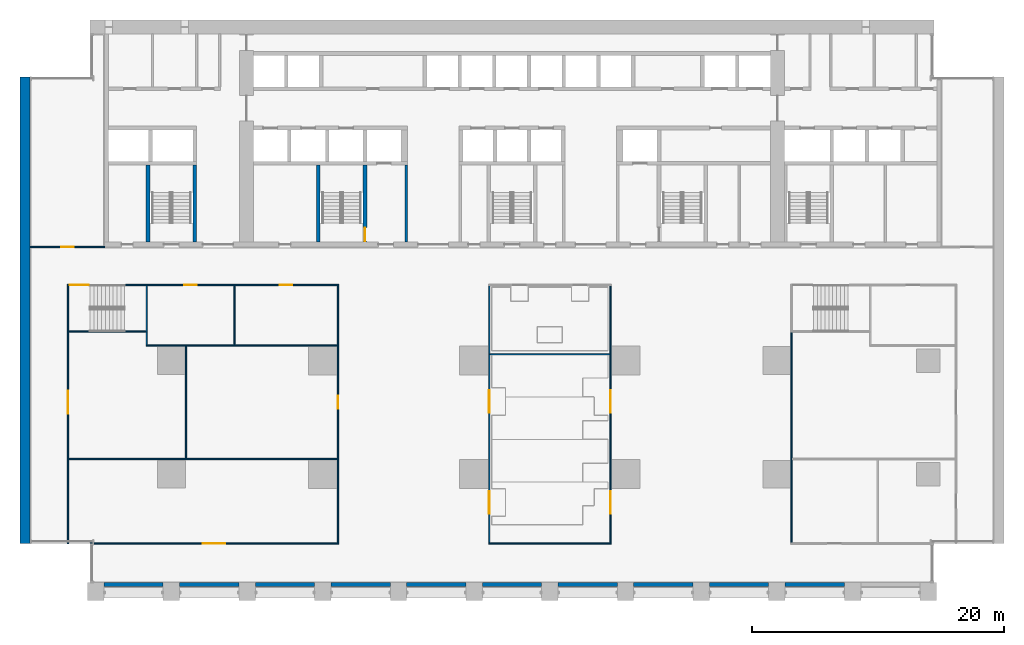
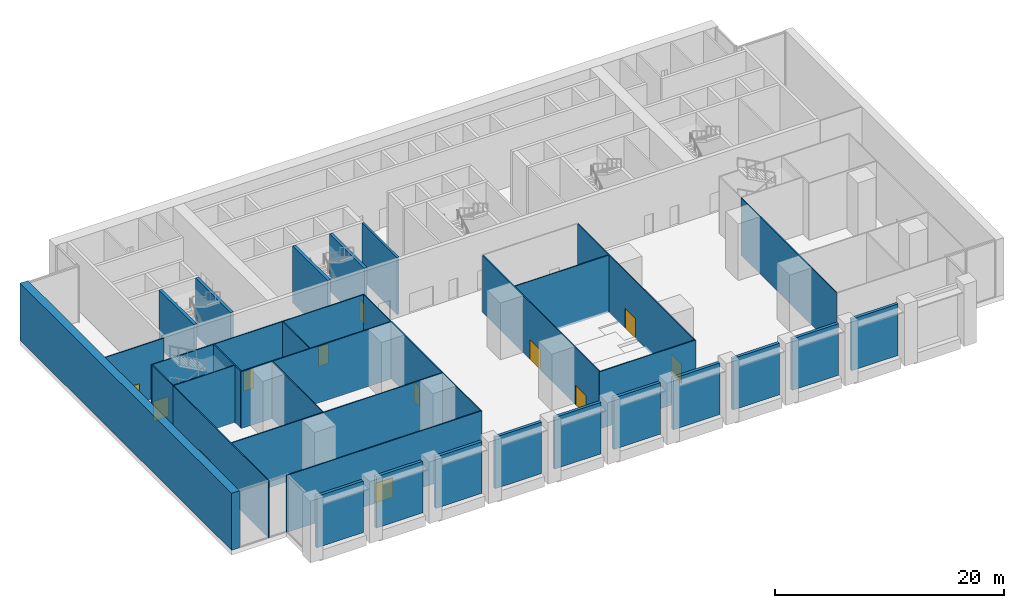
# One storey, part 7 of 18: 35 walls, 12 doors, 12 openings.
"""IFC4 building model written with IfcOpenShell, lengths in metres."""

from ifc_helpers import new_model, si_unit, direction, frame, frame_2d, origin, place, context, subcontext, project, spatial, rectangle, extrude, material, layer, layer_set, type_object, element, fill, save


model = new_model("IFC4")

# Units and contexts
model_context = context("Model", 3, precision=1e-05, world=origin(), true_north=direction((0.0, 1.0)))
body_context = subcontext(model_context, "Body", "Model", "MODEL_VIEW")
ifc_project = project(units=[si_unit("LENGTHUNIT", "METRE"), si_unit("AREAUNIT", "SQUARE_METRE"), si_unit("VOLUMEUNIT", "CUBIC_METRE"), si_unit("PLANEANGLEUNIT", "RADIAN"), si_unit("MASSUNIT", "GRAM", prefix="KILO")], contexts=[model_context])

# Site, building, storey
site_placement = place(None, origin())
site = spatial("IfcSite", under=ifc_project, at=site_placement, CompositionType="ELEMENT")
building_placement = place(site_placement, origin())
building = spatial("IfcBuilding", under=site, at=building_placement, Name="Calvaro Tower", CompositionType="ELEMENT")
storey_placement = place(building_placement, frame((0.0, 0.0, 11.300048828125)))
storey = spatial("IfcBuildingStorey", under=building, at=storey_placement, Name="L02", CompositionType="ELEMENT", Elevation=11.300048828125)

# Walls
ifc_material_1 = material(Name="Blockwork partition", Category="masonry")
ifc_layer_1 = layer(ifc_material_1, 0.199951171875)
ifc_layer_set_1 = layer_set([ifc_layer_1], Name="Blockwork partition")
wall_type_1 = type_object("IfcWallType", Name="Core partition 200 REI 120", PredefinedType="PARTITIONING", material=ifc_layer_set_1)
wall_1_placement = place(storey_placement, frame((30.60009765625, 28.39990234375, 0.0), z_axis=(0.0, 0.0, 1.0), x_axis=(0.0, 1.0, 0.0)))
element("IfcWall", 1, at=wall_1_placement, inside=storey, type_object=wall_type_1, Name="Core partition", PredefinedType="PARTITIONING", context=body_context, shape_type="SweptSolid", body=[
    extrude(rectangle(XDim=6.10009765625, YDim=0.199951171875, at=frame_2d((3.050048828125, 0.0))), origin(), (0.0, 0.0, 1.0), 6.099853515625),
])
ifc_material_2 = material(Name="Concrete C80/95", Category="concrete")
ifc_layer_2 = layer(ifc_material_2, 0.300048828125)
ifc_layer_set_2 = layer_set([ifc_layer_2], Name="Concrete C80/95")
wall_type_2 = type_object("IfcWallType", Name="Core wall C80/95 300", PredefinedType="SHEAR", material=ifc_layer_set_2)
for number, where, z_axis, x_axis, name in (
    (2, (10.14990234375, 28.39990234375, 0.0), (0.0, 0.0, 1.0), (0.0, 1.0, 0.0), "Core wall, stair enclosure"),
    (3, (13.85009765625, 28.39990234375, 0.0), (0.0, 0.0, 1.0), (0.0, 1.0, 0.0), "Core wall, stair enclosure"),
    (4, (23.64990234375, 28.39990234375, 0.0), (0.0, 0.0, 1.0), (0.0, 1.0, 0.0), "Core wall, stair enclosure"),
):
    element("IfcWall", number, at=place(storey_placement, frame(where, z_axis=z_axis, x_axis=x_axis)), inside=storey, type_object=wall_type_2, Name=name, PredefinedType="SHEAR", context=body_context, shape_type="SweptSolid", body=[
        extrude(rectangle(XDim=6.10009765625, YDim=0.300048828125, at=frame_2d((3.050048828125, 0.0))), origin(), (0.0, 0.0, 1.0), 6.099853515625),
    ])

# Wall, opening, door
wall_2_placement = place(storey_placement, frame((27.35009765625, 28.39990234375, 0.0), z_axis=(0.0, 0.0, 1.0), x_axis=(0.0, 1.0, 0.0)))
wall_2 = element("IfcWall", 5, at=wall_2_placement, inside=storey, type_object=wall_type_2, Name="Core wall, stair enclosure", PredefinedType="SHEAR", context=body_context, shape_type="SweptSolid", body=[
    extrude(rectangle(XDim=6.10009765625, YDim=0.300048828125, at=frame_2d((3.050048828125, 0.0))), origin(), (0.0, 0.0, 1.0), 6.099853515625),
])
opening_1_placement = place(wall_2_placement, frame((0.050048828125, 0.0, 0.0)))
opening_1 = element("IfcOpeningElement", 6, at=opening_1_placement, cuts=wall_2, Name="Opening FD11D", PredefinedType="OPENING", context=body_context, shape_type="SweptSolid", body=[
    extrude(rectangle(XDim=1.10009765625, YDim=2.10009765625, at=frame_2d((0.550048828125, 1.050048828125))), frame((0.0, 0.159912109375, 0.0), z_axis=(0.0, -1.0, 0.0), x_axis=(1.0, 0.0, 0.0)), (0.0, 0.0, 1.0), 0.320068359375),
])
ifc_material_3 = material(Name="Steel door set", Category="steel")
door_type_1 = type_object("IfcDoorType", Name="Fire door 1100 FD30S", OperationType="SINGLE_SWING_LEFT", PredefinedType="DOOR", material=ifc_material_3)
door_1_placement = place(opening_1_placement, origin())
door_1 = element("IfcDoor", 7, at=door_1_placement, inside=storey, type_object=door_type_1, Name="Fire door", OperationType="SINGLE_SWING_LEFT", OverallHeight=2.10009765625, OverallWidth=1.10009765625, PredefinedType="DOOR", context=body_context, shape_type="SweptSolid", body=[
    extrude(rectangle(XDim=1.10009765625, YDim=2.10009765625, at=frame_2d((0.550048828125, 1.050048828125))), frame((0.0, 0.02490234375, 0.0), z_axis=(0.0, -1.0, 0.0), x_axis=(1.0, 0.0, 0.0)), (0.0, 0.0, 1.0), 0.050048828125),
])
fill(opening_1, door_1)

# Wall
ifc_material_4 = material(Name="Concrete C80/95", Category="concrete")
ifc_layer_3 = layer(ifc_material_4, 0.800048828125)
ifc_layer_set_3 = layer_set([ifc_layer_3], Name="Concrete C80/95")
wall_type_3 = type_object("IfcWallType", Name="End wall 800 C80/95", PredefinedType="SHEAR", material=ifc_layer_set_3)
wall_3_placement = place(storey_placement, frame((0.39990234375, 4.5, 0.0), z_axis=(0.0, 0.0, 1.0), x_axis=(0.0, 1.0, 0.0)))
element("IfcWall", 8, at=wall_3_placement, inside=storey, type_object=wall_type_3, Name="End shear wall", PredefinedType="SHEAR", context=body_context, shape_type="SweptSolid", body=[
    extrude(rectangle(XDim=37.0, YDim=0.800048828125, at=frame_2d((18.5, 0.0))), origin(), (0.0, 0.0, 1.0), 6.099853515625),
])

# Wall, opening, door
ifc_material_5 = material(Name="Plasterboard on steel studs", Category="steel")
ifc_layer_4 = layer(ifc_material_5, 0.10009765625)
ifc_layer_set_4 = layer_set([ifc_layer_4], Name="Plasterboard on steel studs")
wall_type_4 = type_object("IfcWallType", Name="Partition 100", PredefinedType="PARTITIONING", material=ifc_layer_set_4)
wall_4_placement = place(storey_placement, frame((5.550048828125, 4.5, 0.0), z_axis=(0.0, 0.0, 1.0), x_axis=(1.0, 0.0, 0.0)))
wall_4 = element("IfcWall", 9, at=wall_4_placement, inside=storey, type_object=wall_type_4, Name="Partition T05.W001", PredefinedType="PARTITIONING", context=body_context, shape_type="SweptSolid", body=[
    extrude(rectangle(XDim=19.699951171875, YDim=0.10009765625, at=frame_2d((9.85009765625, 0.0))), origin(), (0.0, 0.0, 1.0), 6.099853515625),
])
opening_2_placement = place(wall_4_placement, frame((8.925048828125, 0.0, 0.0)))
opening_2 = element("IfcOpeningElement", 10, at=opening_2_placement, cuts=wall_4, Name="Opening T05.001", PredefinedType="OPENING", context=body_context, shape_type="SweptSolid", body=[
    extrude(rectangle(XDim=1.800048828125, YDim=2.10009765625, at=frame_2d((0.89990234375, 1.050048828125))), frame((0.0, 0.06005859375, 0.0), z_axis=(0.0, -1.0, 0.0), x_axis=(1.0, 0.0, 0.0)), (0.0, 0.0, 1.0), 0.1201171875),
])
ifc_material_6 = material(Name="Timber", Category="wood")
door_type_2 = type_object("IfcDoorType", Name="Internal double door 1800 x 2100", OperationType="DOUBLE_DOOR_SINGLE_SWING", PredefinedType="DOOR", material=ifc_material_6)
door_2_placement = place(opening_2_placement, origin())
door_2 = element("IfcDoor", 11, at=door_2_placement, inside=storey, type_object=door_type_2, Name="Door T05.001", OperationType="DOUBLE_DOOR_SINGLE_SWING", OverallHeight=2.10009765625, OverallWidth=1.800048828125, PredefinedType="DOOR", context=body_context, shape_type="SweptSolid", body=[
    extrude(rectangle(XDim=1.800048828125, YDim=2.10009765625, at=frame_2d((0.89990234375, 1.050048828125))), frame((0.0, 0.02490234375, 0.0), z_axis=(0.0, -1.0, 0.0), x_axis=(1.0, 0.0, 0.0)), (0.0, 0.0, 1.0), 0.050048828125),
])
fill(opening_2, door_2)

# Walls
wall_5_placement = place(storey_placement, frame((37.14990234375, 4.5, 0.0), z_axis=(0.0, 0.0, 1.0), x_axis=(1.0, 0.0, 0.0)))
element("IfcWall", 12, at=wall_5_placement, inside=storey, type_object=wall_type_4, Name="Partition T05.W002", PredefinedType="PARTITIONING", context=body_context, shape_type="SweptSolid", body=[
    extrude(rectangle(XDim=9.7001953125, YDim=0.10009765625, at=frame_2d((4.85009765625, 0.0))), origin(), (0.0, 0.0, 1.0), 6.099853515625),
])
wall_6_placement = place(storey_placement, frame((37.25, 19.5, 0.0), z_axis=(0.0, 0.0, 1.0), x_axis=(1.0, 0.0, 0.0)))
element("IfcWall", 13, at=wall_6_placement, inside=storey, type_object=wall_type_4, Name="Partition T05.W006", PredefinedType="PARTITIONING", context=body_context, shape_type="SweptSolid", body=[
    extrude(rectangle(XDim=9.5, YDim=0.10009765625, at=frame_2d((4.75, 0.0))), origin(), (0.0, 0.0, 1.0), 6.099853515625),
])

# Wall, openings, doors
wall_7_placement = place(storey_placement, frame((10.090087890625, 25.0, 0.0), z_axis=(0.0, 0.0, 1.0), x_axis=(1.0, 0.0, 0.0)))
wall_7 = element("IfcWall", 14, at=wall_7_placement, inside=storey, type_object=wall_type_4, Name="Partition T05.W012", PredefinedType="PARTITIONING", context=body_context, shape_type="SweptSolid", body=[
    extrude(rectangle(XDim=15.159912109375, YDim=0.10009765625, at=frame_2d((7.580078125, 0.0))), origin(), (0.0, 0.0, 1.0), 6.099853515625),
])
opening_3_placement = place(wall_7_placement, frame((2.93505859375, 0.0, 0.0)))
opening_3 = element("IfcOpeningElement", 15, at=opening_3_placement, cuts=wall_7, Name="Opening T05.013", PredefinedType="OPENING", context=body_context, shape_type="SweptSolid", body=[
    extrude(rectangle(XDim=1.0, YDim=2.10009765625, at=frame_2d((0.5, 1.050048828125))), frame((0.0, 0.06005859375, 0.0), z_axis=(0.0, -1.0, 0.0), x_axis=(1.0, 0.0, 0.0)), (0.0, 0.0, 1.0), 0.1201171875),
])
opening_4_placement = place(wall_7_placement, frame((10.510009765625, 0.0, 0.0)))
opening_4 = element("IfcOpeningElement", 16, at=opening_4_placement, cuts=wall_7, Name="Opening T05.014", PredefinedType="OPENING", context=body_context, shape_type="SweptSolid", body=[
    extrude(rectangle(XDim=1.0, YDim=2.10009765625, at=frame_2d((0.5, 1.050048828125))), frame((0.0, 0.06005859375, 0.0), z_axis=(0.0, -1.0, 0.0), x_axis=(1.0, 0.0, 0.0)), (0.0, 0.0, 1.0), 0.1201171875),
])
ifc_material_7 = material(Name="Timber", Category="wood")
door_type_3 = type_object("IfcDoorType", Name="Internal single door 1000 x 2100", OperationType="SINGLE_SWING_LEFT", PredefinedType="DOOR", material=ifc_material_7)
door_3_placement = place(opening_3_placement, origin())
door_3 = element("IfcDoor", 17, at=door_3_placement, inside=storey, type_object=door_type_3, Name="Door T05.013", OperationType="SINGLE_SWING_LEFT", OverallHeight=2.10009765625, OverallWidth=1.0, PredefinedType="DOOR", context=body_context, shape_type="SweptSolid", body=[
    extrude(rectangle(XDim=1.0, YDim=2.10009765625, at=frame_2d((0.5, 1.050048828125))), frame((0.0, 0.02490234375, 0.0), z_axis=(0.0, -1.0, 0.0), x_axis=(1.0, 0.0, 0.0)), (0.0, 0.0, 1.0), 0.050048828125),
])
fill(opening_3, door_3)
door_4_placement = place(opening_4_placement, origin())
door_4 = element("IfcDoor", 18, at=door_4_placement, inside=storey, type_object=door_type_3, Name="Door T05.014", OperationType="SINGLE_SWING_RIGHT", OverallHeight=2.10009765625, OverallWidth=1.0, PredefinedType="DOOR", context=body_context, shape_type="SweptSolid", body=[
    extrude(rectangle(XDim=1.0, YDim=2.10009765625, at=frame_2d((0.5, 1.050048828125))), frame((0.0, 0.02490234375, 0.0), z_axis=(0.0, -1.0, 0.0), x_axis=(1.0, 0.0, 0.0)), (0.0, 0.0, 1.0), 0.050048828125),
])
fill(opening_4, door_4)

# Wall, opening, door
wall_8_placement = place(storey_placement, frame((3.800048828125, 4.5, 0.0), z_axis=(0.0, 0.0, 1.0), x_axis=(0.0, 1.0, 0.0)))
wall_8 = element("IfcWall", 19, at=wall_8_placement, inside=storey, type_object=wall_type_4, Name="Partition T05.W018", PredefinedType="PARTITIONING", context=body_context, shape_type="SweptSolid", body=[
    extrude(rectangle(XDim=16.760009765625, YDim=0.10009765625, at=frame_2d((8.3798828125, 0.0))), origin(), (0.0, 0.0, 1.0), 6.099853515625),
])
opening_5_placement = place(wall_8_placement, frame((10.300048828125, 0.0, 0.0)))
opening_5 = element("IfcOpeningElement", 20, at=opening_5_placement, cuts=wall_8, Name="Opening T05.010", PredefinedType="OPENING", context=body_context, shape_type="SweptSolid", body=[
    extrude(rectangle(XDim=1.800048828125, YDim=2.10009765625, at=frame_2d((0.89990234375, 1.050048828125))), frame((0.0, 0.06005859375, 0.0), z_axis=(0.0, -1.0, 0.0), x_axis=(1.0, 0.0, 0.0)), (0.0, 0.0, 1.0), 0.1201171875),
])
door_5_placement = place(opening_5_placement, origin())
door_5 = element("IfcDoor", 21, at=door_5_placement, inside=storey, type_object=door_type_2, Name="Door T05.010", OperationType="DOUBLE_DOOR_SINGLE_SWING", OverallHeight=2.10009765625, OverallWidth=1.800048828125, PredefinedType="DOOR", context=body_context, shape_type="SweptSolid", body=[
    extrude(rectangle(XDim=1.800048828125, YDim=2.10009765625, at=frame_2d((0.89990234375, 1.050048828125))), frame((0.0, 0.02490234375, 0.0), z_axis=(0.0, -1.0, 0.0), x_axis=(1.0, 0.0, 0.0)), (0.0, 0.0, 1.0), 0.050048828125),
])
fill(opening_5, door_5)

# Walls
wall_9_placement = place(storey_placement, frame((10.050048828125, 20.25, 0.0), z_axis=(0.0, 0.0, 1.0), x_axis=(0.0, 1.0, 0.0)))
element("IfcWall", 22, at=wall_9_placement, inside=storey, type_object=wall_type_4, Name="Partition T05.W020", PredefinedType="PARTITIONING", context=body_context, shape_type="SweptSolid", body=[
    extrude(rectangle(XDim=1.010009765625, YDim=0.10009765625, at=frame_2d((0.5048828125, 0.0))), origin(), (0.0, 0.0, 1.0), 6.099853515625),
])
wall_10_placement = place(storey_placement, frame((17.0, 20.25, 0.0), z_axis=(0.0, 0.0, 1.0), x_axis=(0.0, 1.0, 0.0)))
element("IfcWall", 23, at=wall_10_placement, inside=storey, type_object=wall_type_4, Name="Partition T05.W023", PredefinedType="PARTITIONING", context=body_context, shape_type="SweptSolid", body=[
    extrude(rectangle(XDim=4.699951171875, YDim=0.10009765625, at=frame_2d((2.35009765625, 0.0))), origin(), (0.0, 0.0, 1.0), 6.099853515625),
])

# Wall, openings, doors
wall_11_placement = place(storey_placement, frame((37.199951171875, 4.550048828125, 0.0), z_axis=(0.0, 0.0, 1.0), x_axis=(0.0, 1.0, 0.0)))
wall_11 = element("IfcWall", 24, at=wall_11_placement, inside=storey, type_object=wall_type_4, Name="Partition T05.W025", PredefinedType="PARTITIONING", context=body_context, shape_type="SweptSolid", body=[
    extrude(rectangle(XDim=20.39990234375, YDim=0.10009765625, at=frame_2d((10.199951171875, 0.0))), origin(), (0.0, 0.0, 1.0), 6.099853515625),
])
opening_6_placement = place(wall_11_placement, frame((2.300048828125, 0.0, 0.0)))
opening_6 = element("IfcOpeningElement", 25, at=opening_6_placement, cuts=wall_11, Name="Opening T05.004", PredefinedType="OPENING", context=body_context, shape_type="SweptSolid", body=[
    extrude(rectangle(XDim=1.800048828125, YDim=2.10009765625, at=frame_2d((0.89990234375, 1.050048828125))), frame((0.0, 0.06005859375, 0.0), z_axis=(0.0, -1.0, 0.0), x_axis=(1.0, 0.0, 0.0)), (0.0, 0.0, 1.0), 0.1201171875),
])
opening_7_placement = place(wall_11_placement, frame((10.300048828125, 0.0, 0.0)))
opening_7 = element("IfcOpeningElement", 26, at=opening_7_placement, cuts=wall_11, Name="Opening T05.006", PredefinedType="OPENING", context=body_context, shape_type="SweptSolid", body=[
    extrude(rectangle(XDim=1.800048828125, YDim=2.10009765625, at=frame_2d((0.89990234375, 1.050048828125))), frame((0.0, 0.06005859375, 0.0), z_axis=(0.0, -1.0, 0.0), x_axis=(1.0, 0.0, 0.0)), (0.0, 0.0, 1.0), 0.1201171875),
])
door_6_placement = place(opening_6_placement, origin())
door_6 = element("IfcDoor", 27, at=door_6_placement, inside=storey, type_object=door_type_2, Name="Door T05.004", OperationType="DOUBLE_DOOR_SINGLE_SWING", OverallHeight=2.10009765625, OverallWidth=1.800048828125, PredefinedType="DOOR", context=body_context, shape_type="SweptSolid", body=[
    extrude(rectangle(XDim=1.800048828125, YDim=2.10009765625, at=frame_2d((0.89990234375, 1.050048828125))), frame((0.0, 0.02490234375, 0.0), z_axis=(0.0, -1.0, 0.0), x_axis=(1.0, 0.0, 0.0)), (0.0, 0.0, 1.0), 0.050048828125),
])
fill(opening_6, door_6)
door_7_placement = place(opening_7_placement, origin())
door_7 = element("IfcDoor", 28, at=door_7_placement, inside=storey, type_object=door_type_2, Name="Door T05.006", OperationType="DOUBLE_DOOR_SINGLE_SWING", OverallHeight=2.10009765625, OverallWidth=1.800048828125, PredefinedType="DOOR", context=body_context, shape_type="SweptSolid", body=[
    extrude(rectangle(XDim=1.800048828125, YDim=2.10009765625, at=frame_2d((0.89990234375, 1.050048828125))), frame((0.0, 0.02490234375, 0.0), z_axis=(0.0, -1.0, 0.0), x_axis=(1.0, 0.0, 0.0)), (0.0, 0.0, 1.0), 0.050048828125),
])
fill(opening_7, door_7)

wall_12_placement = place(storey_placement, frame((46.800048828125, 4.550048828125, 0.0), z_axis=(0.0, 0.0, 1.0), x_axis=(0.0, 1.0, 0.0)))
wall_12 = element("IfcWall", 29, at=wall_12_placement, inside=storey, type_object=wall_type_4, Name="Partition T05.W026", PredefinedType="PARTITIONING", context=body_context, shape_type="SweptSolid", body=[
    extrude(rectangle(XDim=20.39990234375, YDim=0.10009765625, at=frame_2d((10.199951171875, 0.0))), origin(), (0.0, 0.0, 1.0), 6.099853515625),
])
opening_8_placement = place(wall_12_placement, frame((2.300048828125, 0.0, 0.0)))
opening_8 = element("IfcOpeningElement", 30, at=opening_8_placement, cuts=wall_12, Name="Opening T05.005", PredefinedType="OPENING", context=body_context, shape_type="SweptSolid", body=[
    extrude(rectangle(XDim=1.800048828125, YDim=2.10009765625, at=frame_2d((0.89990234375, 1.050048828125))), frame((0.0, 0.06005859375, 0.0), z_axis=(0.0, -1.0, 0.0), x_axis=(1.0, 0.0, 0.0)), (0.0, 0.0, 1.0), 0.1201171875),
])
opening_9_placement = place(wall_12_placement, frame((10.300048828125, 0.0, 0.0)))
opening_9 = element("IfcOpeningElement", 31, at=opening_9_placement, cuts=wall_12, Name="Opening T05.007", PredefinedType="OPENING", context=body_context, shape_type="SweptSolid", body=[
    extrude(rectangle(XDim=1.800048828125, YDim=2.10009765625, at=frame_2d((0.89990234375, 1.050048828125))), frame((0.0, 0.06005859375, 0.0), z_axis=(0.0, -1.0, 0.0), x_axis=(1.0, 0.0, 0.0)), (0.0, 0.0, 1.0), 0.1201171875),
])
door_8_placement = place(opening_8_placement, origin())
door_8 = element("IfcDoor", 32, at=door_8_placement, inside=storey, type_object=door_type_2, Name="Door T05.005", OperationType="DOUBLE_DOOR_SINGLE_SWING", OverallHeight=2.10009765625, OverallWidth=1.800048828125, PredefinedType="DOOR", context=body_context, shape_type="SweptSolid", body=[
    extrude(rectangle(XDim=1.800048828125, YDim=2.10009765625, at=frame_2d((0.89990234375, 1.050048828125))), frame((0.0, 0.02490234375, 0.0), z_axis=(0.0, -1.0, 0.0), x_axis=(1.0, 0.0, 0.0)), (0.0, 0.0, 1.0), 0.050048828125),
])
fill(opening_8, door_8)
door_9_placement = place(opening_9_placement, origin())
door_9 = element("IfcDoor", 33, at=door_9_placement, inside=storey, type_object=door_type_2, Name="Door T05.007", OperationType="DOUBLE_DOOR_SINGLE_SWING", OverallHeight=2.10009765625, OverallWidth=1.800048828125, PredefinedType="DOOR", context=body_context, shape_type="SweptSolid", body=[
    extrude(rectangle(XDim=1.800048828125, YDim=2.10009765625, at=frame_2d((0.89990234375, 1.050048828125))), frame((0.0, 0.02490234375, 0.0), z_axis=(0.0, -1.0, 0.0), x_axis=(1.0, 0.0, 0.0)), (0.0, 0.0, 1.0), 0.050048828125),
])
fill(opening_9, door_9)

# Walls
wall_13_placement = place(storey_placement, frame((61.14990234375, 4.550048828125, 0.0), z_axis=(0.0, 0.0, 1.0), x_axis=(0.0, 1.0, 0.0)))
element("IfcWall", 34, at=wall_13_placement, inside=storey, type_object=wall_type_4, Name="Partition T05.W027", PredefinedType="PARTITIONING", context=body_context, shape_type="SweptSolid", body=[
    extrude(rectangle(XDim=16.7099609375, YDim=0.10009765625, at=frame_2d((8.35498046875, 0.0))), origin(), (0.0, 0.0, 1.0), 6.099853515625),
])
ifc_material_8 = material(Name="Plasterboard on steel studs", Category="steel")
ifc_layer_5 = layer(ifc_material_8, 0.10009765625)
ifc_layer_set_5 = layer_set([ifc_layer_5], Name="Plasterboard on steel studs")
wall_type_5 = type_object("IfcWallType", Name="Partition 100 EI 60", PredefinedType="PARTITIONING", material=ifc_layer_set_5)
wall_14_placement = place(storey_placement, frame((3.85009765625, 11.199951171875, 0.0), z_axis=(0.0, 0.0, 1.0), x_axis=(1.0, 0.0, 0.0)))
element("IfcWall", 35, at=wall_14_placement, inside=storey, type_object=wall_type_5, Name="Partition T05.W004", PredefinedType="PARTITIONING", context=body_context, shape_type="SweptSolid", body=[
    extrude(rectangle(XDim=21.2998046875, YDim=0.10009765625, at=frame_2d((10.64990234375, 0.0))), origin(), (0.0, 0.0, 1.0), 6.099853515625),
])
wall_15_placement = place(storey_placement, frame((10.0, 20.199951171875, 0.0), z_axis=(0.0, 0.0, 1.0), x_axis=(1.0, 0.0, 0.0)))
element("IfcWall", 36, at=wall_15_placement, inside=storey, type_object=wall_type_5, Name="Partition T05.W007", PredefinedType="PARTITIONING", context=body_context, shape_type="SweptSolid", body=[
    extrude(rectangle(XDim=15.14990234375, YDim=0.10009765625, at=frame_2d((7.574951171875, 0.0))), origin(), (0.0, 0.0, 1.0), 6.099853515625),
])

# Wall, opening, door
wall_16_placement = place(storey_placement, frame((0.800048828125, 28.0, 0.0), z_axis=(0.0, 0.0, 1.0), x_axis=(1.0, 0.0, 0.0)))
wall_16 = element("IfcWall", 37, at=wall_16_placement, inside=storey, type_object=wall_type_5, Name="Partition T05.W016", PredefinedType="PARTITIONING", context=body_context, shape_type="SweptSolid", body=[
    extrude(rectangle(XDim=5.89990234375, YDim=0.10009765625, at=frame_2d((2.949951171875, 0.0))), origin(), (0.0, 0.0, 1.0), 6.099853515625),
])
opening_10_placement = place(wall_16_placement, frame((2.449951171875, 0.0, 0.0)))
opening_10 = element("IfcOpeningElement", 38, at=opening_10_placement, cuts=wall_16, Name="Opening T05.019", PredefinedType="OPENING", context=body_context, shape_type="SweptSolid", body=[
    extrude(rectangle(XDim=1.0, YDim=2.10009765625, at=frame_2d((0.5, 1.050048828125))), frame((0.0, 0.06005859375, 0.0), z_axis=(0.0, -1.0, 0.0), x_axis=(1.0, 0.0, 0.0)), (0.0, 0.0, 1.0), 0.1201171875),
])
ifc_material_9 = material(Name="Timber", Category="wood")
door_type_4 = type_object("IfcDoorType", Name="Internal single door 1000 x 2100 FD30", OperationType="SINGLE_SWING_LEFT", PredefinedType="DOOR", material=ifc_material_9)
door_10_placement = place(opening_10_placement, origin())
door_10 = element("IfcDoor", 39, at=door_10_placement, inside=storey, type_object=door_type_4, Name="Door T05.019", OperationType="SINGLE_SWING_LEFT", OverallHeight=2.10009765625, OverallWidth=1.0, PredefinedType="DOOR", context=body_context, shape_type="SweptSolid", body=[
    extrude(rectangle(XDim=1.0, YDim=2.10009765625, at=frame_2d((0.5, 1.050048828125))), frame((0.0, 0.02490234375, 0.0), z_axis=(0.0, -1.0, 0.0), x_axis=(1.0, 0.0, 0.0)), (0.0, 0.0, 1.0), 0.050048828125),
])
fill(opening_10, door_10)

# Wall
wall_17_placement = place(storey_placement, frame((13.14990234375, 11.25, 0.0), z_axis=(0.0, 0.0, 1.0), x_axis=(0.0, 1.0, 0.0)))
element("IfcWall", 40, at=wall_17_placement, inside=storey, type_object=wall_type_5, Name="Partition T05.W022", PredefinedType="PARTITIONING", context=body_context, shape_type="SweptSolid", body=[
    extrude(rectangle(XDim=8.89990234375, YDim=0.10009765625, at=frame_2d((4.449951171875, 0.0))), origin(), (0.0, 0.0, 1.0), 6.099853515625),
])

# Wall, opening, door
wall_18_placement = place(storey_placement, frame((25.199951171875, 4.550048828125, 0.0), z_axis=(0.0, 0.0, 1.0), x_axis=(0.0, 1.0, 0.0)))
wall_18 = element("IfcWall", 41, at=wall_18_placement, inside=storey, type_object=wall_type_5, Name="Partition T05.W024", PredefinedType="PARTITIONING", context=body_context, shape_type="SweptSolid", body=[
    extrude(rectangle(XDim=20.39990234375, YDim=0.10009765625, at=frame_2d((10.199951171875, 0.0))), origin(), (0.0, 0.0, 1.0), 6.099853515625),
])
opening_11_placement = place(wall_18_placement, frame((10.64990234375, 0.0, 0.0)))
opening_11 = element("IfcOpeningElement", 42, at=opening_11_placement, cuts=wall_18, Name="Opening T05.008", PredefinedType="OPENING", context=body_context, shape_type="SweptSolid", body=[
    extrude(rectangle(XDim=1.0, YDim=2.10009765625, at=frame_2d((0.5, 1.050048828125))), frame((0.0, 0.06005859375, 0.0), z_axis=(0.0, -1.0, 0.0), x_axis=(1.0, 0.0, 0.0)), (0.0, 0.0, 1.0), 0.1201171875),
])
door_11_placement = place(opening_11_placement, origin())
door_11 = element("IfcDoor", 43, at=door_11_placement, inside=storey, type_object=door_type_4, Name="Door T05.008", OperationType="SINGLE_SWING_RIGHT", OverallHeight=2.10009765625, OverallWidth=1.0, PredefinedType="DOOR", context=body_context, shape_type="SweptSolid", body=[
    extrude(rectangle(XDim=1.0, YDim=2.10009765625, at=frame_2d((0.5, 1.050048828125))), frame((0.0, 0.02490234375, 0.0), z_axis=(0.0, -1.0, 0.0), x_axis=(1.0, 0.0, 0.0)), (0.0, 0.0, 1.0), 0.050048828125),
])
fill(opening_11, door_11)

# Wall
ifc_material_10 = material(Name="Concrete C40/50", Category="concrete")
ifc_layer_6 = layer(ifc_material_10, 0.10009765625)
ifc_layer_set_6 = layer_set([ifc_layer_6], Name="Concrete C40/50")
wall_type_6 = type_object("IfcWallType", Name="Stair enclosure wall 100", PredefinedType="SOLIDWALL", material=ifc_layer_set_6)
wall_19_placement = place(storey_placement, frame((3.85009765625, 21.300048828125, 0.0), z_axis=(0.0, 0.0, 1.0), x_axis=(1.0, 0.0, 0.0)))
element("IfcWall", 44, at=wall_19_placement, inside=storey, type_object=wall_type_6, Name="Stair enclosure wall T05.W009", PredefinedType="SOLIDWALL", context=body_context, shape_type="SweptSolid", body=[
    extrude(rectangle(XDim=6.14990234375, YDim=0.10009765625, at=frame_2d((3.074951171875, 0.0))), origin(), (0.0, 0.0, 1.0), 6.099853515625),
])

# Wall, opening, door
wall_20_placement = place(storey_placement, frame((3.75, 25.0, 0.0), z_axis=(0.0, 0.0, 1.0), x_axis=(1.0, 0.0, 0.0)))
wall_20 = element("IfcWall", 45, at=wall_20_placement, inside=storey, type_object=wall_type_6, Name="Stair enclosure wall T05.W011", PredefinedType="SOLIDWALL", context=body_context, shape_type="SweptSolid", body=[
    extrude(rectangle(XDim=6.340087890625, YDim=0.10009765625, at=frame_2d((3.169921875, 0.0))), origin(), (0.0, 0.0, 1.0), 6.099853515625),
])
opening_12_placement = place(wall_20_placement, frame((0.199951171875, 0.0, 0.0)))
opening_12 = element("IfcOpeningElement", 46, at=opening_12_placement, cuts=wall_20, Name="Opening T05.016", PredefinedType="OPENING", context=body_context, shape_type="SweptSolid", body=[
    extrude(rectangle(XDim=1.5, YDim=2.10009765625, at=frame_2d((0.75, 1.050048828125))), frame((0.0, 0.06005859375, 0.0), z_axis=(0.0, -1.0, 0.0), x_axis=(1.0, 0.0, 0.0)), (0.0, 0.0, 1.0), 0.1201171875),
])
ifc_material_11 = material(Name="Timber", Category="wood")
door_type_5 = type_object("IfcDoorType", Name="Internal double door 1500 x 2100 FD30S", OperationType="DOUBLE_DOOR_SINGLE_SWING", PredefinedType="DOOR", material=ifc_material_11)
door_12_placement = place(opening_12_placement, origin())
door_12 = element("IfcDoor", 47, at=door_12_placement, inside=storey, type_object=door_type_5, Name="Door T05.016", OperationType="DOUBLE_DOOR_SINGLE_SWING", OverallHeight=2.10009765625, OverallWidth=1.5, PredefinedType="DOOR", context=body_context, shape_type="SweptSolid", body=[
    extrude(rectangle(XDim=1.5, YDim=2.10009765625, at=frame_2d((0.75, 1.050048828125))), frame((0.0, 0.02490234375, 0.0), z_axis=(0.0, -1.0, 0.0), x_axis=(1.0, 0.0, 0.0)), (0.0, 0.0, 1.0), 0.050048828125),
])
fill(opening_12, door_12)

# Walls
for number, where, z_axis, x_axis, name in (
    (48, (3.800048828125, 21.260009765625, 0.0), (0.0, 0.0, 1.0), (0.0, 1.0, 0.0), "Stair enclosure wall T05.W019"),
    (49, (10.050048828125, 21.260009765625, 0.0), (0.0, 0.0, 1.0), (0.0, 1.0, 0.0), "Stair enclosure wall T05.W021"),
):
    element("IfcWall", number, at=place(storey_placement, frame(where, z_axis=z_axis, x_axis=x_axis)), inside=storey, type_object=wall_type_6, Name=name, PredefinedType="SOLIDWALL", context=body_context, shape_type="SweptSolid", body=[
        extrude(rectangle(XDim=3.68994140625, YDim=0.10009765625, at=frame_2d((1.844970703125, 0.0))), origin(), (0.0, 0.0, 1.0), 6.099853515625),
    ])
ifc_material_12 = material(Name="Stone faced masonry", Category="masonry")
ifc_layer_7 = layer(ifc_material_12, 0.300048828125)
ifc_layer_set_7 = layer_set([ifc_layer_7], Name="Stone faced masonry")
wall_type_7 = type_object("IfcWallType", Name="Stone faced wall 300", PredefinedType="SOLIDWALL", material=ifc_layer_set_7)
for number, where, z_axis, x_axis, name in (
    (50, (6.64990234375, 1.25, 0.0), (0.0, 0.0, 1.0), (1.0, 0.0, 0.0), "Stone faced wall"),
    (51, (12.64990234375, 1.25, 0.0), (0.0, 0.0, 1.0), (1.0, 0.0, 0.0), "Stone faced wall"),
    (52, (18.64990234375, 1.25, 0.0), (0.0, 0.0, 1.0), (1.0, 0.0, 0.0), "Stone faced wall"),
    (53, (24.64990234375, 1.25, 0.0), (0.0, 0.0, 1.0), (1.0, 0.0, 0.0), "Stone faced wall"),
    (54, (30.64990234375, 1.25, 0.0), (0.0, 0.0, 1.0), (1.0, 0.0, 0.0), "Stone faced wall"),
    (55, (36.64990234375, 1.25, 0.0), (0.0, 0.0, 1.0), (1.0, 0.0, 0.0), "Stone faced wall"),
    (56, (42.64990234375, 1.25, 0.0), (0.0, 0.0, 1.0), (1.0, 0.0, 0.0), "Stone faced wall"),
    (57, (48.64990234375, 1.25, 0.0), (0.0, 0.0, 1.0), (1.0, 0.0, 0.0), "Stone faced wall"),
    (58, (54.64990234375, 1.25, 0.0), (0.0, 0.0, 1.0), (1.0, 0.0, 0.0), "Stone faced wall"),
    (59, (60.64990234375, 1.25, 0.0), (0.0, 0.0, 1.0), (1.0, 0.0, 0.0), "Stone faced wall"),
):
    element("IfcWall", number, at=place(storey_placement, frame(where, z_axis=z_axis, x_axis=x_axis)), inside=storey, type_object=wall_type_7, Name=name, PredefinedType="SOLIDWALL", context=body_context, shape_type="SweptSolid", body=[
        extrude(rectangle(XDim=4.7001953125, YDim=0.300048828125, at=frame_2d((2.35009765625, 0.0))), origin(), (0.0, 0.0, 1.0), 5.5),
    ])

save(model, "model.ifc")
